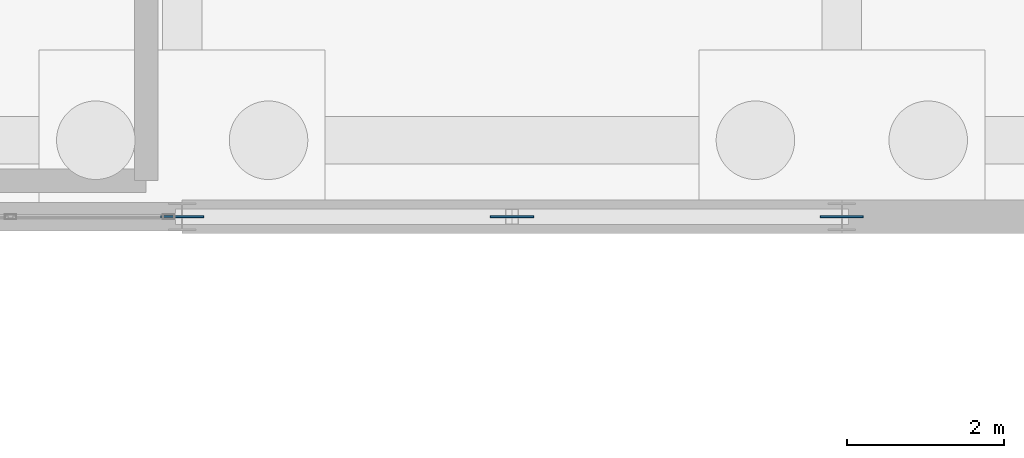
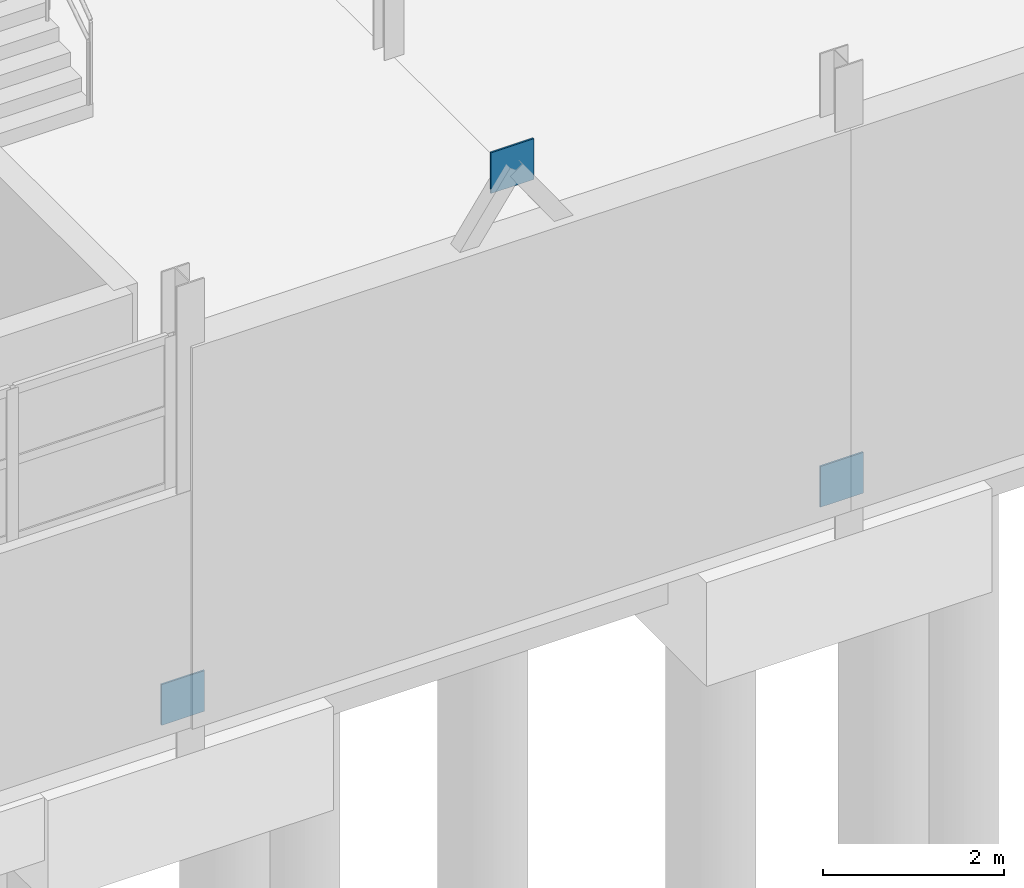
# One storey, part 113 of 139: 3 plates.
"""IFC4 building model written with IfcOpenShell, lengths in metres."""

from ifc_helpers import new_model, si_unit, direction, frame, origin, origin_2d, place, context, subcontext, project, spatial, rectangle, extrude, material, layer, layer_set, type_object, element, save


model = new_model("IFC4")

# Units and contexts
model_context = context("Model", 3, precision=1e-05, world=origin(), true_north=direction((0.0, 1.0)))
body_context = subcontext(model_context, "Body", "Model", "MODEL_VIEW")
ifc_project = project(units=[si_unit("LENGTHUNIT", "METRE"), si_unit("AREAUNIT", "SQUARE_METRE"), si_unit("VOLUMEUNIT", "CUBIC_METRE"), si_unit("PLANEANGLEUNIT", "RADIAN"), si_unit("MASSUNIT", "GRAM", prefix="KILO")], contexts=[model_context])

# Site, building, storey
site_placement = place(None, origin())
site = spatial("IfcSite", under=ifc_project, at=site_placement, CompositionType="ELEMENT")
building_placement = place(site_placement, origin())
building = spatial("IfcBuilding", under=site, at=building_placement, Name="Kazenagashi Tramway Depot", CompositionType="ELEMENT")
storey_placement = place(building_placement, origin())
storey = spatial("IfcBuildingStorey", under=building, at=storey_placement, Name="L01", CompositionType="ELEMENT", Elevation=0.0)

# Plates
ifc_material = material(Name="Steel SN490B", Category="steel")
ifc_layer = layer(ifc_material, 0.022)
ifc_layer_set = layer_set([ifc_layer], Name="Steel SN490B")
plate_type = type_object("IfcPlateType", Name="GP-01", PredefinedType="USERDEFINED", material=ifc_layer_set)
for number, where, z_axis, x_axis, name in (
    (1, (53.2, 70.0, 0.025), (0.0, 0.0, 1.0), (1.0, 0.0, 0.0), "Structural Node Plate GP-01 PLT-0150"),
    (2, (57.4, 70.0, 5.725), (0.0, 0.0, 1.0), (1.0, 0.0, 0.0), "Structural Node Plate GP-01 PLT-0151"),
    (3, (61.6, 70.0, 0.025), (0.0, 0.0, 1.0), (1.0, 0.0, 0.0), "Structural Node Plate GP-01 PLT-0152"),
):
    element("IfcPlate", number, at=place(storey_placement, frame(where, z_axis=z_axis, x_axis=x_axis)), inside=storey, type_object=plate_type, Name=name, ObjectType="GUSSET PLATE", PredefinedType="USERDEFINED", context=body_context, shape_type="SweptSolid", body=[
        extrude(rectangle(XDim=0.55, YDim=0.022, at=origin_2d()), origin(), (0.0, 0.0, 1.0), 0.55),
    ])

save(model, "model.ifc")
